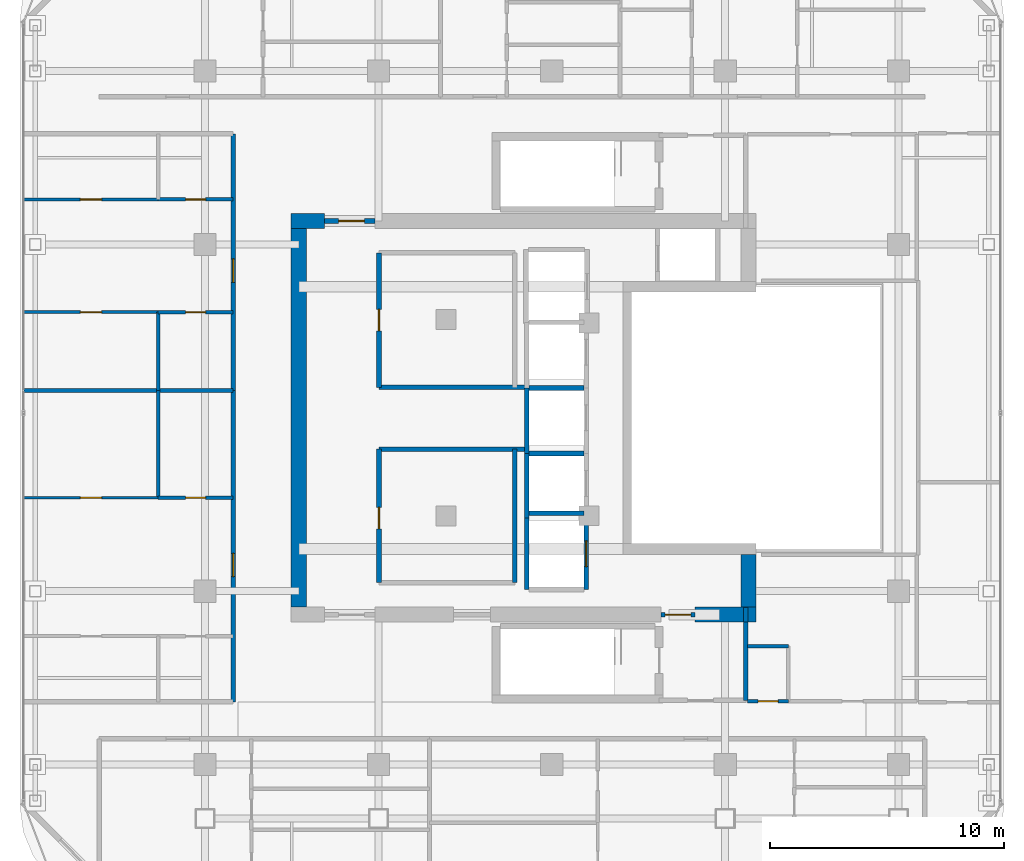
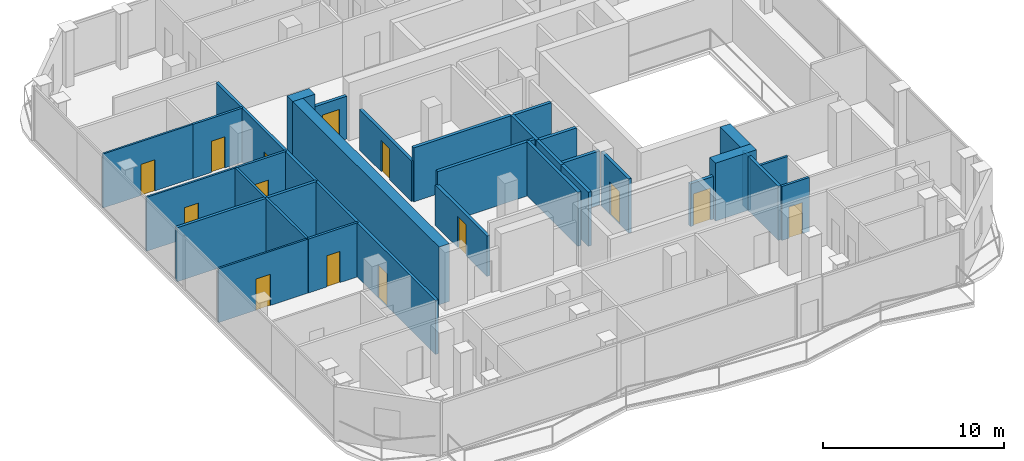
# One storey, part 18 of 22: 33 walls, 14 doors, 14 openings.
"""IFC4 building model written with IfcOpenShell, lengths in metres."""

from ifc_helpers import new_model, si_unit, direction, frame, frame_2d, origin, place, context, subcontext, project, spatial, rectangle, extrude, material, layer, layer_set, type_object, element, fill, save


model = new_model("IFC4")

# Units and contexts
model_context = context("Model", 3, precision=1e-05, world=origin(), true_north=direction((0.0, 1.0)))
body_context = subcontext(model_context, "Body", "Model", "MODEL_VIEW")
ifc_project = project(units=[si_unit("LENGTHUNIT", "METRE"), si_unit("AREAUNIT", "SQUARE_METRE"), si_unit("VOLUMEUNIT", "CUBIC_METRE"), si_unit("PLANEANGLEUNIT", "RADIAN"), si_unit("MASSUNIT", "GRAM", prefix="KILO")], contexts=[model_context])

# Site, building, storey
site_placement = place(None, origin())
site = spatial("IfcSite", under=ifc_project, at=site_placement, CompositionType="ELEMENT")
building_placement = place(site_placement, origin())
building = spatial("IfcBuilding", under=site, at=building_placement, Name="Khorvyn Point Tower", CompositionType="ELEMENT")
storey_placement = place(building_placement, frame((0.0, 0.0, 309.300048828125)))
storey = spatial("IfcBuildingStorey", under=building, at=storey_placement, Name="L76", CompositionType="ELEMENT", Elevation=309.300048828125)

# Wall, opening, door
ifc_material_1 = material(Name="Double acoustic gypsum on twin steel stud", Category="steel")
ifc_layer_1 = layer(ifc_material_1, 0.179931640625)
ifc_layer_set_1 = layer_set([ifc_layer_1], Name="Acoustic Double-Stud Apartment Demising Wall 180")
wall_type_1 = type_object("IfcWallType", Name="Acoustic Double-Stud Apartment Demising Wall 180", PredefinedType="PARTITIONING", material=ifc_layer_set_1)
wall_1_placement = place(storey_placement, frame((-13.60009765625, -12.1201171875, 0.0), z_axis=(0.0, 0.0, 1.0), x_axis=(0.0, 1.0, 0.0)))
wall_1 = element("IfcWall", 1, at=wall_1_placement, inside=storey, type_object=wall_type_1, Name="Wall", PredefinedType="PARTITIONING", context=body_context, shape_type="SweptSolid", body=[
    extrude(rectangle(XDim=13.2841796875, YDim=0.179931640625, at=frame_2d((6.64208984375, 0.0))), origin(), (0.0, 0.0, 1.0), 3.639892578125),
])
opening_1_placement = place(wall_1_placement, frame((5.33837890625, 0.0, 0.0)))
opening_1 = element("IfcOpeningElement", 2, at=opening_1_placement, cuts=wall_1, Name="Opening ID-AP60", PredefinedType="OPENING", context=body_context, shape_type="SweptSolid", body=[
    extrude(rectangle(XDim=1.0, YDim=2.199951171875, at=frame_2d((0.5, 1.10009765625))), frame((0.0, 0.099853515625, 0.0), z_axis=(0.0, -1.0, 0.0), x_axis=(1.0, 0.0, 0.0)), (0.0, 0.0, 1.0), 0.199951171875),
])
ifc_material_2 = material(Name="Engineered hardwood fire-rated leaf", Category="wood")
door_type_1 = type_object("IfcDoorType", Name="Acoustic Solid-Core Timber Apartment Entrance Door 1000x2200", OperationType="NOTDEFINED", PredefinedType="DOOR", material=ifc_material_2)
door_1_placement = place(opening_1_placement, origin())
door_1 = element("IfcDoor", 3, at=door_1_placement, inside=storey, type_object=door_type_1, Name="Door", OperationType="SINGLE_SWING_RIGHT", OverallHeight=2.199951171875, OverallWidth=1.0, PredefinedType="DOOR", context=body_context, shape_type="SweptSolid", body=[
    extrude(rectangle(XDim=1.0, YDim=2.199951171875, at=frame_2d((0.5, 1.10009765625))), frame((0.0, 0.02490234375, 0.0), z_axis=(0.0, -1.0, 0.0), x_axis=(1.0, 0.0, 0.0)), (0.0, 0.0, 1.0), 0.050048828125),
])
fill(opening_1, door_1)

wall_2_placement = place(storey_placement, frame((-13.60009765625, 1.1640625, 0.0), z_axis=(0.0, 0.0, 1.0), x_axis=(0.0, 1.0, 0.0)))
wall_2 = element("IfcWall", 4, at=wall_2_placement, inside=storey, type_object=wall_type_1, Name="Wall", PredefinedType="PARTITIONING", context=body_context, shape_type="SweptSolid", body=[
    extrude(rectangle(XDim=10.9560546875, YDim=0.179931640625, at=frame_2d((5.47802734375, 0.0))), origin(), (0.0, 0.0, 1.0), 3.639892578125),
])
opening_2_placement = place(wall_2_placement, frame((4.62109375, 0.0, 0.0)))
opening_2 = element("IfcOpeningElement", 5, at=opening_2_placement, cuts=wall_2, Name="Opening ID-AP60", PredefinedType="OPENING", context=body_context, shape_type="SweptSolid", body=[
    extrude(rectangle(XDim=1.0, YDim=2.199951171875, at=frame_2d((0.5, 1.10009765625))), frame((0.0, 0.099853515625, 0.0), z_axis=(0.0, -1.0, 0.0), x_axis=(1.0, 0.0, 0.0)), (0.0, 0.0, 1.0), 0.199951171875),
])
door_2_placement = place(opening_2_placement, origin())
door_2 = element("IfcDoor", 6, at=door_2_placement, inside=storey, type_object=door_type_1, Name="Door", OperationType="SINGLE_SWING_LEFT", OverallHeight=2.199951171875, OverallWidth=1.0, PredefinedType="DOOR", context=body_context, shape_type="SweptSolid", body=[
    extrude(rectangle(XDim=1.0, YDim=2.199951171875, at=frame_2d((0.5, 1.10009765625))), frame((0.0, 0.02490234375, 0.0), z_axis=(0.0, -1.0, 0.0), x_axis=(1.0, 0.0, 0.0)), (0.0, 0.0, 1.0), 0.050048828125),
])
fill(opening_2, door_2)

# Walls
wall_3_placement = place(storey_placement, frame((-22.530029296875, 1.1640625, 0.0), z_axis=(0.0, 0.0, 1.0), x_axis=(1.0, 0.0, 0.0)))
element("IfcWall", 7, at=wall_3_placement, inside=storey, type_object=wall_type_1, Name="Wall", PredefinedType="PARTITIONING", context=body_context, shape_type="SweptSolid", body=[
    extrude(rectangle(XDim=8.929931640625, YDim=0.179931640625, at=frame_2d((4.46484375, 0.0))), origin(), (0.0, 0.0, 1.0), 3.639892578125),
])
ifc_material_3 = material(Name="Concrete C40/50", Category="concrete")
ifc_layer_2 = layer(ifc_material_3, 0.64990234375)
ifc_layer_set_2 = layer_set([ifc_layer_2], Name="Concrete C40/50 Core Shear Wall 650")
wall_type_2 = type_object("IfcWallType", Name="Concrete C40/50 Core Shear Wall 650", PredefinedType="SHEAR", material=ifc_layer_set_2)
wall_4_placement = place(storey_placement, frame((6.1201171875, -8.39990234375, 0.0), z_axis=(0.0, 0.0, 1.0), x_axis=(1.0, 0.0, 0.0)))
element("IfcWall", 8, at=wall_4_placement, inside=storey, type_object=wall_type_2, Name="Wall", PredefinedType="SHEAR", context=body_context, shape_type="SweptSolid", body=[
    extrude(rectangle(XDim=2.60498046875, YDim=0.64990234375, at=frame_2d((1.302490234375, 0.0))), origin(), (0.0, 0.0, 1.0), 3.89990234375),
])
wall_5_placement = place(storey_placement, frame((-11.125, 8.39990234375, 0.0), z_axis=(0.0, 0.0, 1.0), x_axis=(1.0, 0.0, 0.0)))
element("IfcWall", 9, at=wall_5_placement, inside=storey, type_object=wall_type_2, Name="Wall", PredefinedType="SHEAR", context=body_context, shape_type="SweptSolid", body=[
    extrude(rectangle(XDim=1.425048828125, YDim=0.64990234375, at=frame_2d((0.71240234375, 0.0))), origin(), (0.0, 0.0, 1.0), 3.89990234375),
])
wall_6_placement = place(storey_placement, frame((-10.800048828125, -8.074951171875, 0.0), z_axis=(0.0, 0.0, 1.0), x_axis=(0.0, 1.0, 0.0)))
element("IfcWall", 10, at=wall_6_placement, inside=storey, type_object=wall_type_2, Name="Wall", PredefinedType="SHEAR", context=body_context, shape_type="SweptSolid", body=[
    extrude(rectangle(XDim=16.14990234375, YDim=0.64990234375, at=frame_2d((8.074951171875, 0.0))), origin(), (0.0, 0.0, 1.0), 3.89990234375),
])
wall_7_placement = place(storey_placement, frame((8.39990234375, -8.074951171875, 0.0), z_axis=(0.0, 0.0, 1.0), x_axis=(0.0, 1.0, 0.0)))
element("IfcWall", 11, at=wall_7_placement, inside=storey, type_object=wall_type_2, Name="Wall", PredefinedType="SHEAR", context=body_context, shape_type="SweptSolid", body=[
    extrude(rectangle(XDim=2.25, YDim=0.64990234375, at=frame_2d((1.125, 0.0))), origin(), (0.0, 0.0, 1.0), 3.89990234375),
])

# Wall, opening, door
ifc_layer_3 = layer(ifc_material_3, 0.199951171875)
ifc_layer_set_3 = layer_set([ifc_layer_3], Name="Concrete C40/50 Fire-Lobby Compartment Wall 200")
wall_type_3 = type_object("IfcWallType", Name="Concrete C40/50 Fire-Lobby Compartment Wall 200", PredefinedType="SOLIDWALL", material=ifc_layer_set_3)
wall_8_placement = place(storey_placement, frame((4.64990234375, -8.39990234375, 0.0), z_axis=(0.0, 0.0, 1.0), x_axis=(1.0, 0.0, 0.0)))
wall_8 = element("IfcWall", 12, at=wall_8_placement, inside=storey, type_object=wall_type_3, Name="Wall", PredefinedType="SOLIDWALL", context=body_context, shape_type="SweptSolid", body=[
    extrude(rectangle(XDim=1.47021484375, YDim=0.199951171875, at=frame_2d((0.735107421875, 0.0))), origin(), (0.0, 0.0, 1.0), 2.8798828125),
])
opening_3_placement = place(wall_8_placement, frame((0.18505859375, 0.0, 0.0)))
opening_3 = element("IfcOpeningElement", 13, at=opening_3_placement, cuts=wall_8, Name="Opening ID-FL90", PredefinedType="OPENING", context=body_context, shape_type="SweptSolid", body=[
    extrude(rectangle(XDim=1.10009765625, YDim=2.14990234375, at=frame_2d((0.550048828125, 1.074951171875))), frame((0.0, 0.10986328125, 0.0), z_axis=(0.0, -1.0, 0.0), x_axis=(1.0, 0.0, 0.0)), (0.0, 0.0, 1.0), 0.219970703125),
])
ifc_material_4 = material(Name="Galvanised powder-coated steel", Category="steel")
door_type_2 = type_object("IfcDoorType", Name="Fire-Rated Steel Lobby and Stair Door 1100x2150", OperationType="NOTDEFINED", PredefinedType="DOOR", material=ifc_material_4)
door_3_placement = place(opening_3_placement, origin())
door_3 = element("IfcDoor", 14, at=door_3_placement, inside=storey, type_object=door_type_2, Name="Door", OperationType="SINGLE_SWING_RIGHT", OverallHeight=2.14990234375, OverallWidth=1.10009765625, PredefinedType="DOOR", context=body_context, shape_type="SweptSolid", body=[
    extrude(rectangle(XDim=1.10009765625, YDim=2.14990234375, at=frame_2d((0.550048828125, 1.074951171875))), frame((0.0, 0.02490234375, 0.0), z_axis=(0.0, -1.0, 0.0), x_axis=(1.0, 0.0, 0.0)), (0.0, 0.0, 1.0), 0.050048828125),
])
fill(opening_3, door_3)

wall_9_placement = place(storey_placement, frame((-9.699951171875, 8.39990234375, 0.0), z_axis=(0.0, 0.0, 1.0), x_axis=(1.0, 0.0, 0.0)))
wall_9 = element("IfcWall", 15, at=wall_9_placement, inside=storey, type_object=wall_type_3, Name="Wall", PredefinedType="SOLIDWALL", context=body_context, shape_type="SweptSolid", body=[
    extrude(rectangle(XDim=2.14990234375, YDim=0.199951171875, at=frame_2d((1.074951171875, 0.0))), origin(), (0.0, 0.0, 1.0), 2.8798828125),
])
opening_4_placement = place(wall_9_placement, frame((0.597900390625, 0.0, 0.0)))
opening_4 = element("IfcOpeningElement", 16, at=opening_4_placement, cuts=wall_9, Name="Opening ID-FL90", PredefinedType="OPENING", context=body_context, shape_type="SweptSolid", body=[
    extrude(rectangle(XDim=1.10009765625, YDim=2.14990234375, at=frame_2d((0.550048828125, 1.074951171875))), frame((0.0, 0.10986328125, 0.0), z_axis=(0.0, -1.0, 0.0), x_axis=(1.0, 0.0, 0.0)), (0.0, 0.0, 1.0), 0.219970703125),
])
door_4_placement = place(opening_4_placement, origin())
door_4 = element("IfcDoor", 17, at=door_4_placement, inside=storey, type_object=door_type_2, Name="Door", OperationType="SINGLE_SWING_LEFT", OverallHeight=2.14990234375, OverallWidth=1.10009765625, PredefinedType="DOOR", context=body_context, shape_type="SweptSolid", body=[
    extrude(rectangle(XDim=1.10009765625, YDim=2.14990234375, at=frame_2d((0.550048828125, 1.074951171875))), frame((0.0, 0.02490234375, 0.0), z_axis=(0.0, -1.0, 0.0), x_axis=(1.0, 0.0, 0.0)), (0.0, 0.0, 1.0), 0.050048828125),
])
fill(opening_4, door_4)

wall_10_placement = place(storey_placement, frame((-7.3798828125, -7.0400390625, 0.0), z_axis=(0.0, 0.0, 1.0), x_axis=(0.0, 1.0, 0.0)))
wall_10 = element("IfcWall", 18, at=wall_10_placement, inside=storey, type_object=wall_type_3, Name="Wall", PredefinedType="SOLIDWALL", context=body_context, shape_type="SweptSolid", body=[
    extrude(rectangle(XDim=5.699951171875, YDim=0.199951171875, at=frame_2d((2.85009765625, 0.0))), origin(), (0.0, 0.0, 1.0), 2.72998046875),
])
opening_5_placement = place(wall_10_placement, frame((2.30078125, 0.0, 0.0)))
opening_5 = element("IfcOpeningElement", 19, at=opening_5_placement, cuts=wall_10, Name="Opening ID-RS60", PredefinedType="OPENING", context=body_context, shape_type="SweptSolid", body=[
    extrude(rectangle(XDim=0.919921875, YDim=2.10009765625, at=frame_2d((0.4599609375, 1.050048828125))), frame((0.0, 0.10986328125, 0.0), z_axis=(0.0, -1.0, 0.0), x_axis=(1.0, 0.0, 0.0)), (0.0, 0.0, 1.0), 0.219970703125),
])
door_type_3 = type_object("IfcDoorType", Name="Fire-Rated Riser and Store Steel Door 920x2100", OperationType="NOTDEFINED", PredefinedType="DOOR", material=ifc_material_4)
door_5_placement = place(opening_5_placement, origin())
door_5 = element("IfcDoor", 20, at=door_5_placement, inside=storey, type_object=door_type_3, Name="Door", OperationType="SINGLE_SWING_RIGHT", OverallHeight=2.10009765625, OverallWidth=0.919921875, PredefinedType="DOOR", context=body_context, shape_type="SweptSolid", body=[
    extrude(rectangle(XDim=0.919921875, YDim=2.10009765625, at=frame_2d((0.4599609375, 1.050048828125))), frame((0.0, 0.02490234375, 0.0), z_axis=(0.0, -1.0, 0.0), x_axis=(1.0, 0.0, 0.0)), (0.0, 0.0, 1.0), 0.050048828125),
])
fill(opening_5, door_5)

wall_11_placement = place(storey_placement, frame((-7.3798828125, 1.300048828125, 0.0), z_axis=(0.0, 0.0, 1.0), x_axis=(0.0, 1.0, 0.0)))
wall_11 = element("IfcWall", 21, at=wall_11_placement, inside=storey, type_object=wall_type_3, Name="Wall", PredefinedType="SOLIDWALL", context=body_context, shape_type="SweptSolid", body=[
    extrude(rectangle(XDim=5.739990234375, YDim=0.199951171875, at=frame_2d((2.8701171875, 0.0))), origin(), (0.0, 0.0, 1.0), 2.72998046875),
])
opening_6_placement = place(wall_11_placement, frame((2.409912109375, 0.0, 0.0)))
opening_6 = element("IfcOpeningElement", 22, at=opening_6_placement, cuts=wall_11, Name="Opening ID-RS60", PredefinedType="OPENING", context=body_context, shape_type="SweptSolid", body=[
    extrude(rectangle(XDim=0.919921875, YDim=2.10009765625, at=frame_2d((0.4599609375, 1.050048828125))), frame((0.0, 0.10986328125, 0.0), z_axis=(0.0, -1.0, 0.0), x_axis=(1.0, 0.0, 0.0)), (0.0, 0.0, 1.0), 0.219970703125),
])
door_6_placement = place(opening_6_placement, origin())
door_6 = element("IfcDoor", 23, at=door_6_placement, inside=storey, type_object=door_type_3, Name="Door", OperationType="SINGLE_SWING_LEFT", OverallHeight=2.10009765625, OverallWidth=0.919921875, PredefinedType="DOOR", context=body_context, shape_type="SweptSolid", body=[
    extrude(rectangle(XDim=0.919921875, YDim=2.10009765625, at=frame_2d((0.4599609375, 1.050048828125))), frame((0.0, 0.02490234375, 0.0), z_axis=(0.0, -1.0, 0.0), x_axis=(1.0, 0.0, 0.0)), (0.0, 0.0, 1.0), 0.050048828125),
])
fill(opening_6, door_6)

# Walls
wall_12_placement = place(storey_placement, frame((8.280029296875, -12.06005859375, 0.0), z_axis=(0.0, 0.0, 1.0), x_axis=(0.0, 1.0, 0.0)))
element("IfcWall", 24, at=wall_12_placement, inside=storey, type_object=wall_type_3, Name="Wall", PredefinedType="SOLIDWALL", context=body_context, shape_type="SweptSolid", body=[
    extrude(rectangle(XDim=3.3349609375, YDim=0.199951171875, at=frame_2d((1.66748046875, 0.0))), origin(), (0.0, 0.0, 1.0), 3.639892578125),
])
for number, where, z_axis, x_axis, name in (
    (25, (-7.3798828125, -1.340087890625, 0.0), (0.0, 0.0, 1.0), (1.0, 0.0, 0.0), "Wall"),
    (26, (-7.3798828125, 1.300048828125, 0.0), (0.0, 0.0, 1.0), (1.0, 0.0, 0.0), "Wall"),
):
    element("IfcWall", number, at=place(storey_placement, frame(where, z_axis=z_axis, x_axis=x_axis)), inside=storey, type_object=wall_type_3, Name=name, PredefinedType="SOLIDWALL", context=body_context, shape_type="SweptSolid", body=[
        extrude(rectangle(XDim=6.239990234375, YDim=0.199951171875, at=frame_2d((3.1201171875, 0.0))), origin(), (0.0, 0.0, 1.0), 3.639892578125),
    ])
wall_13_placement = place(storey_placement, frame((-1.580078125, -7.0400390625, 0.0), z_axis=(0.0, 0.0, 1.0), x_axis=(0.0, 1.0, 0.0)))
element("IfcWall", 27, at=wall_13_placement, inside=storey, type_object=wall_type_3, Name="Wall", PredefinedType="SOLIDWALL", context=body_context, shape_type="SweptSolid", body=[
    extrude(rectangle(XDim=5.699951171875, YDim=0.199951171875, at=frame_2d((2.85009765625, 0.0))), origin(), (0.0, 0.0, 1.0), 3.639892578125),
])
wall_14_placement = place(storey_placement, frame((8.280029296875, -8.72509765625, 0.0), z_axis=(0.0, 0.0, 1.0), x_axis=(0.0, 1.0, 0.0)))
element("IfcWall", 28, at=wall_14_placement, inside=storey, type_object=wall_type_3, Name="Wall", PredefinedType="SOLIDWALL", context=body_context, shape_type="SweptSolid", body=[
    extrude(rectangle(XDim=0.625, YDim=0.199951171875, at=frame_2d((0.3125, 0.0))), origin(), (0.0, 0.0, 1.0), 3.639892578125),
])
ifc_layer_4 = layer(ifc_material_3, 0.199951171875)
ifc_layer_set_4 = layer_set([ifc_layer_4], Name="Concrete C40/50 Structural Hoistway and Stair Shaft Wall 200")
wall_type_4 = type_object("IfcWallType", Name="Concrete C40/50 Structural Hoistway and Stair Shaft Wall 200", PredefinedType="SHEAR", material=ifc_layer_set_4)
wall_15_placement = place(storey_placement, frame((-1.074951171875, -4.27490234375, 0.0), z_axis=(0.0, 0.0, 1.0), x_axis=(0.0, 1.0, 0.0)))
element("IfcWall", 29, at=wall_15_placement, inside=storey, type_object=wall_type_4, Name="Wall", PredefinedType="SHEAR", context=body_context, shape_type="SweptSolid", body=[
    extrude(rectangle(XDim=2.75, YDim=0.199951171875, at=frame_2d((1.375, 0.0))), origin(), (0.0, 0.0, 1.0), 3.639892578125),
])
for number, where, z_axis, x_axis, name in (
    (30, (-0.97509765625, -4.074951171875, 0.0), (0.0, 0.0, 1.0), (1.0, 0.0, 0.0), "Wall"),
    (31, (-0.97509765625, -1.52490234375, 0.0), (0.0, 0.0, 1.0), (1.0, 0.0, 0.0), "Wall"),
):
    element("IfcWall", number, at=place(storey_placement, frame(where, z_axis=z_axis, x_axis=x_axis)), inside=storey, type_object=wall_type_4, Name=name, PredefinedType="SHEAR", context=body_context, shape_type="SweptSolid", body=[
        extrude(rectangle(XDim=2.35009765625, YDim=0.199951171875, at=frame_2d((1.175048828125, 0.0))), origin(), (0.0, 0.0, 1.0), 3.639892578125),
    ])
wall_16_placement = place(storey_placement, frame((-1.074951171875, -1.52490234375, 0.0), z_axis=(0.0, 0.0, 1.0), x_axis=(0.0, 1.0, 0.0)))
element("IfcWall", 32, at=wall_16_placement, inside=storey, type_object=wall_type_4, Name="Wall", PredefinedType="SHEAR", context=body_context, shape_type="SweptSolid", body=[
    extrude(rectangle(XDim=2.7998046875, YDim=0.199951171875, at=frame_2d((1.39990234375, 0.0))), origin(), (0.0, 0.0, 1.0), 3.639892578125),
])
wall_17_placement = place(storey_placement, frame((-0.97509765625, 1.27490234375, 0.0), z_axis=(0.0, 0.0, 1.0), x_axis=(1.0, 0.0, 0.0)))
element("IfcWall", 33, at=wall_17_placement, inside=storey, type_object=wall_type_4, Name="Wall", PredefinedType="SHEAR", context=body_context, shape_type="SweptSolid", body=[
    extrude(rectangle(XDim=2.35009765625, YDim=0.199951171875, at=frame_2d((1.175048828125, 0.0))), origin(), (0.0, 0.0, 1.0), 3.639892578125),
])
wall_18_placement = place(storey_placement, frame((-1.074951171875, -7.324951171875, 0.0), z_axis=(0.0, 0.0, 1.0), x_axis=(0.0, 1.0, 0.0)))
element("IfcWall", 34, at=wall_18_placement, inside=storey, type_object=wall_type_4, Name="Wall", PredefinedType="SHEAR", context=body_context, shape_type="SweptSolid", body=[
    extrude(rectangle(XDim=3.050048828125, YDim=0.199951171875, at=frame_2d((1.52490234375, 0.0))), origin(), (0.0, 0.0, 1.0), 3.639892578125),
])

# Wall, opening, door
wall_19_placement = place(storey_placement, frame((1.47509765625, -7.324951171875, 0.0), z_axis=(0.0, 0.0, 1.0), x_axis=(0.0, 1.0, 0.0)))
wall_19 = element("IfcWall", 35, at=wall_19_placement, inside=storey, type_object=wall_type_4, Name="Wall", PredefinedType="SHEAR", context=body_context, shape_type="SweptSolid", body=[
    extrude(rectangle(XDim=3.050048828125, YDim=0.199951171875, at=frame_2d((1.52490234375, 0.0))), origin(), (0.0, 0.0, 1.0), 3.639892578125),
])
opening_7_placement = place(wall_19_placement, frame((0.97509765625, 0.0, 0.0)))
opening_7 = element("IfcOpeningElement", 36, at=opening_7_placement, cuts=wall_19, Name="Opening LD-1122", PredefinedType="OPENING", context=body_context, shape_type="SweptSolid", body=[
    extrude(rectangle(XDim=1.10009765625, YDim=2.199951171875, at=frame_2d((0.550048828125, 1.10009765625))), frame((0.0, 0.10986328125, 0.0), z_axis=(0.0, -1.0, 0.0), x_axis=(1.0, 0.0, 0.0)), (0.0, 0.0, 1.0), 0.219970703125),
])
ifc_material_5 = material(Name="Stainless steel 1.4301", Category="steel")
door_type_4 = type_object("IfcDoorType", Name="Stainless Steel Automatic Sliding Lift Landing Door 1100x2200", OperationType="SLIDING_TO_LEFT", PredefinedType="DOOR", material=ifc_material_5)
door_7_placement = place(opening_7_placement, origin())
door_7 = element("IfcDoor", 37, at=door_7_placement, inside=storey, type_object=door_type_4, Name="L76 FF-01 Sliding Lift Landing Door", OperationType="SLIDING_TO_LEFT", OverallHeight=2.199951171875, OverallWidth=1.10009765625, PredefinedType="DOOR", context=body_context, shape_type="SweptSolid", body=[
    extrude(rectangle(XDim=1.10009765625, YDim=2.199951171875, at=frame_2d((0.550048828125, 1.10009765625))), frame((0.0, 0.02490234375, 0.0), z_axis=(0.0, -1.0, 0.0), x_axis=(1.0, 0.0, 0.0)), (0.0, 0.0, 1.0), 0.050048828125),
])
fill(opening_7, door_7)

ifc_material_6 = material(Name="Gypsum plasterboard on steel stud", Category="steel")
ifc_layer_5 = layer(ifc_material_6, 0.1201171875)
ifc_layer_set_5 = layer_set([ifc_layer_5], Name="Gypsum Acoustic Stud Room Partition Wall 120")
wall_type_5 = type_object("IfcWallType", Name="Gypsum Acoustic Stud Room Partition Wall 120", PredefinedType="PARTITIONING", material=ifc_layer_set_5)
wall_20_placement = place(storey_placement, frame((-22.530029296875, -3.412109375, 0.0), z_axis=(0.0, 0.0, 1.0), x_axis=(1.0, 0.0, 0.0)))
wall_20 = element("IfcWall", 38, at=wall_20_placement, inside=storey, type_object=wall_type_5, Name="Wall", PredefinedType="PARTITIONING", context=body_context, shape_type="SweptSolid", body=[
    extrude(rectangle(XDim=5.720947265625, YDim=0.1201171875, at=frame_2d((2.8603515625, 0.0))), origin(), (0.0, 0.0, 1.0), 3.639892578125),
])
opening_8_placement = place(wall_20_placement, frame((2.410400390625, 0.0, 0.0)))
opening_8 = element("IfcOpeningElement", 39, at=opening_8_placement, cuts=wall_20, Name="Opening ID-RM90", PredefinedType="OPENING", context=body_context, shape_type="SweptSolid", body=[
    extrude(rectangle(XDim=0.89990234375, YDim=2.10009765625, at=frame_2d((0.449951171875, 1.050048828125))), frame((0.0, 0.070068359375, 0.0), z_axis=(0.0, -1.0, 0.0), x_axis=(1.0, 0.0, 0.0)), (0.0, 0.0, 1.0), 0.14013671875),
])
ifc_material_7 = material(Name="Engineered oak veneer timber", Category="wood")
door_type_5 = type_object("IfcDoorType", Name="Flush Engineered Timber Room Door 900x2100", OperationType="NOTDEFINED", PredefinedType="DOOR", material=ifc_material_7)
door_8_placement = place(opening_8_placement, origin())
door_8 = element("IfcDoor", 40, at=door_8_placement, inside=storey, type_object=door_type_5, Name="Door", OperationType="SINGLE_SWING_RIGHT", OverallHeight=2.10009765625, OverallWidth=0.89990234375, PredefinedType="DOOR", context=body_context, shape_type="SweptSolid", body=[
    extrude(rectangle(XDim=0.89990234375, YDim=2.10009765625, at=frame_2d((0.449951171875, 1.050048828125))), frame((0.0, 0.02490234375, 0.0), z_axis=(0.0, -1.0, 0.0), x_axis=(1.0, 0.0, 0.0)), (0.0, 0.0, 1.0), 0.050048828125),
])
fill(opening_8, door_8)

wall_21_placement = place(storey_placement, frame((-22.530029296875, 4.510986328125, 0.0), z_axis=(0.0, 0.0, 1.0), x_axis=(1.0, 0.0, 0.0)))
wall_21 = element("IfcWall", 41, at=wall_21_placement, inside=storey, type_object=wall_type_5, Name="Wall", PredefinedType="PARTITIONING", context=body_context, shape_type="SweptSolid", body=[
    extrude(rectangle(XDim=5.720947265625, YDim=0.1201171875, at=frame_2d((2.8603515625, 0.0))), origin(), (0.0, 0.0, 1.0), 3.639892578125),
])
opening_9_placement = place(wall_21_placement, frame((2.410400390625, 0.0, 0.0)))
opening_9 = element("IfcOpeningElement", 42, at=opening_9_placement, cuts=wall_21, Name="Opening ID-RM90", PredefinedType="OPENING", context=body_context, shape_type="SweptSolid", body=[
    extrude(rectangle(XDim=0.89990234375, YDim=2.10009765625, at=frame_2d((0.449951171875, 1.050048828125))), frame((0.0, 0.070068359375, 0.0), z_axis=(0.0, -1.0, 0.0), x_axis=(1.0, 0.0, 0.0)), (0.0, 0.0, 1.0), 0.14013671875),
])
door_9_placement = place(opening_9_placement, origin())
door_9 = element("IfcDoor", 43, at=door_9_placement, inside=storey, type_object=door_type_5, Name="Door", OperationType="SINGLE_SWING_RIGHT", OverallHeight=2.10009765625, OverallWidth=0.89990234375, PredefinedType="DOOR", context=body_context, shape_type="SweptSolid", body=[
    extrude(rectangle(XDim=0.89990234375, YDim=2.10009765625, at=frame_2d((0.449951171875, 1.050048828125))), frame((0.0, 0.02490234375, 0.0), z_axis=(0.0, -1.0, 0.0), x_axis=(1.0, 0.0, 0.0)), (0.0, 0.0, 1.0), 0.050048828125),
])
fill(opening_9, door_9)

wall_22_placement = place(storey_placement, frame((-22.530029296875, 9.320068359375, 0.0), z_axis=(0.0, 0.0, 1.0), x_axis=(1.0, 0.0, 0.0)))
wall_22 = element("IfcWall", 44, at=wall_22_placement, inside=storey, type_object=wall_type_5, Name="Wall", PredefinedType="PARTITIONING", context=body_context, shape_type="SweptSolid", body=[
    extrude(rectangle(XDim=5.720947265625, YDim=0.1201171875, at=frame_2d((2.8603515625, 0.0))), origin(), (0.0, 0.0, 1.0), 3.639892578125),
])
opening_10_placement = place(wall_22_placement, frame((2.410400390625, 0.0, 0.0)))
opening_10 = element("IfcOpeningElement", 45, at=opening_10_placement, cuts=wall_22, Name="Opening ID-RM90", PredefinedType="OPENING", context=body_context, shape_type="SweptSolid", body=[
    extrude(rectangle(XDim=0.89990234375, YDim=2.10009765625, at=frame_2d((0.449951171875, 1.050048828125))), frame((0.0, 0.070068359375, 0.0), z_axis=(0.0, -1.0, 0.0), x_axis=(1.0, 0.0, 0.0)), (0.0, 0.0, 1.0), 0.14013671875),
])
door_10_placement = place(opening_10_placement, origin())
door_10 = element("IfcDoor", 46, at=door_10_placement, inside=storey, type_object=door_type_5, Name="Door", OperationType="SINGLE_SWING_LEFT", OverallHeight=2.10009765625, OverallWidth=0.89990234375, PredefinedType="DOOR", context=body_context, shape_type="SweptSolid", body=[
    extrude(rectangle(XDim=0.89990234375, YDim=2.10009765625, at=frame_2d((0.449951171875, 1.050048828125))), frame((0.0, 0.02490234375, 0.0), z_axis=(0.0, -1.0, 0.0), x_axis=(1.0, 0.0, 0.0)), (0.0, 0.0, 1.0), 0.050048828125),
])
fill(opening_10, door_10)

ifc_material_8 = material(Name="Moisture-resistant gypsum and cement board", Category="gypsum")
ifc_layer_6 = layer(ifc_material_8, 0.14990234375)
ifc_layer_set_6 = layer_set([ifc_layer_6], Name="Moisture-Resistant Wet-Room Partition Wall 150")
wall_type_6 = type_object("IfcWallType", Name="Moisture-Resistant Wet-Room Partition Wall 150", PredefinedType="PARTITIONING", material=ifc_layer_set_6)
wall_23_placement = place(storey_placement, frame((8.360107421875, -12.10009765625, 0.0), z_axis=(0.0, 0.0, 1.0), x_axis=(1.0, 0.0, 0.0)))
wall_23 = element("IfcWall", 47, at=wall_23_placement, inside=storey, type_object=wall_type_6, Name="Wall", PredefinedType="PARTITIONING", context=body_context, shape_type="SweptSolid", body=[
    extrude(rectangle(XDim=1.739990234375, YDim=0.14990234375, at=frame_2d((0.8701171875, 0.0))), origin(), (0.0, 0.0, 1.0), 3.639892578125),
])
opening_11_placement = place(wall_23_placement, frame((0.445068359375, 0.0, 0.0)))
opening_11 = element("IfcOpeningElement", 48, at=opening_11_placement, cuts=wall_23, Name="Opening ID-WC85", PredefinedType="OPENING", context=body_context, shape_type="SweptSolid", body=[
    extrude(rectangle(XDim=0.85009765625, YDim=2.10009765625, at=frame_2d((0.425048828125, 1.050048828125))), frame((0.0, 0.0849609375, 0.0), z_axis=(0.0, -1.0, 0.0), x_axis=(1.0, 0.0, 0.0)), (0.0, 0.0, 1.0), 0.169921875),
])
ifc_material_9 = material(Name="High-pressure laminate on moisture-resistant core", Category="wood")
door_type_6 = type_object("IfcDoorType", Name="Moisture-Resistant Accessible Washroom Door 850x2100", OperationType="NOTDEFINED", PredefinedType="DOOR", material=ifc_material_9)
door_11_placement = place(opening_11_placement, origin())
door_11 = element("IfcDoor", 49, at=door_11_placement, inside=storey, type_object=door_type_6, Name="Door", OperationType="SINGLE_SWING_RIGHT", OverallHeight=2.10009765625, OverallWidth=0.85009765625, PredefinedType="DOOR", context=body_context, shape_type="SweptSolid", body=[
    extrude(rectangle(XDim=0.85009765625, YDim=2.10009765625, at=frame_2d((0.425048828125, 1.050048828125))), frame((0.0, 0.02490234375, 0.0), z_axis=(0.0, -1.0, 0.0), x_axis=(1.0, 0.0, 0.0)), (0.0, 0.0, 1.0), 0.050048828125),
])
fill(opening_11, door_11)

wall_24_placement = place(storey_placement, frame((-16.80908203125, -3.412109375, 0.0), z_axis=(0.0, 0.0, 1.0), x_axis=(1.0, 0.0, 0.0)))
wall_24 = element("IfcWall", 50, at=wall_24_placement, inside=storey, type_object=wall_type_6, Name="Wall", PredefinedType="PARTITIONING", context=body_context, shape_type="SweptSolid", body=[
    extrude(rectangle(XDim=3.208984375, YDim=0.14990234375, at=frame_2d((1.6044921875, 0.0))), origin(), (0.0, 0.0, 1.0), 3.639892578125),
])
opening_12_placement = place(wall_24_placement, frame((1.179443359375, 0.0, 0.0)))
opening_12 = element("IfcOpeningElement", 51, at=opening_12_placement, cuts=wall_24, Name="Opening ID-WC85", PredefinedType="OPENING", context=body_context, shape_type="SweptSolid", body=[
    extrude(rectangle(XDim=0.85009765625, YDim=2.10009765625, at=frame_2d((0.425048828125, 1.050048828125))), frame((0.0, 0.0849609375, 0.0), z_axis=(0.0, -1.0, 0.0), x_axis=(1.0, 0.0, 0.0)), (0.0, 0.0, 1.0), 0.169921875),
])
door_12_placement = place(opening_12_placement, origin())
door_12 = element("IfcDoor", 52, at=door_12_placement, inside=storey, type_object=door_type_6, Name="Door", OperationType="SINGLE_SWING_LEFT", OverallHeight=2.10009765625, OverallWidth=0.85009765625, PredefinedType="DOOR", context=body_context, shape_type="SweptSolid", body=[
    extrude(rectangle(XDim=0.85009765625, YDim=2.10009765625, at=frame_2d((0.425048828125, 1.050048828125))), frame((0.0, 0.02490234375, 0.0), z_axis=(0.0, -1.0, 0.0), x_axis=(1.0, 0.0, 0.0)), (0.0, 0.0, 1.0), 0.050048828125),
])
fill(opening_12, door_12)

wall_25_placement = place(storey_placement, frame((-16.80908203125, 9.320068359375, 0.0), z_axis=(0.0, 0.0, 1.0), x_axis=(1.0, 0.0, 0.0)))
wall_25 = element("IfcWall", 53, at=wall_25_placement, inside=storey, type_object=wall_type_6, Name="Wall", PredefinedType="PARTITIONING", context=body_context, shape_type="SweptSolid", body=[
    extrude(rectangle(XDim=3.208984375, YDim=0.14990234375, at=frame_2d((1.6044921875, 0.0))), origin(), (0.0, 0.0, 1.0), 3.639892578125),
])
opening_13_placement = place(wall_25_placement, frame((1.179443359375, 0.0, 0.0)))
opening_13 = element("IfcOpeningElement", 54, at=opening_13_placement, cuts=wall_25, Name="Opening ID-WC85", PredefinedType="OPENING", context=body_context, shape_type="SweptSolid", body=[
    extrude(rectangle(XDim=0.85009765625, YDim=2.10009765625, at=frame_2d((0.425048828125, 1.050048828125))), frame((0.0, 0.0849609375, 0.0), z_axis=(0.0, -1.0, 0.0), x_axis=(1.0, 0.0, 0.0)), (0.0, 0.0, 1.0), 0.169921875),
])
door_13_placement = place(opening_13_placement, origin())
door_13 = element("IfcDoor", 55, at=door_13_placement, inside=storey, type_object=door_type_6, Name="Door", OperationType="SINGLE_SWING_RIGHT", OverallHeight=2.10009765625, OverallWidth=0.85009765625, PredefinedType="DOOR", context=body_context, shape_type="SweptSolid", body=[
    extrude(rectangle(XDim=0.85009765625, YDim=2.10009765625, at=frame_2d((0.425048828125, 1.050048828125))), frame((0.0, 0.02490234375, 0.0), z_axis=(0.0, -1.0, 0.0), x_axis=(1.0, 0.0, 0.0)), (0.0, 0.0, 1.0), 0.050048828125),
])
fill(opening_13, door_13)

wall_26_placement = place(storey_placement, frame((-16.80908203125, 4.510986328125, 0.0), z_axis=(0.0, 0.0, 1.0), x_axis=(1.0, 0.0, 0.0)))
wall_26 = element("IfcWall", 56, at=wall_26_placement, inside=storey, type_object=wall_type_6, Name="Wall", PredefinedType="PARTITIONING", context=body_context, shape_type="SweptSolid", body=[
    extrude(rectangle(XDim=3.208984375, YDim=0.14990234375, at=frame_2d((1.6044921875, 0.0))), origin(), (0.0, 0.0, 1.0), 3.639892578125),
])
opening_14_placement = place(wall_26_placement, frame((1.179443359375, 0.0, 0.0)))
opening_14 = element("IfcOpeningElement", 57, at=opening_14_placement, cuts=wall_26, Name="Opening ID-WC85", PredefinedType="OPENING", context=body_context, shape_type="SweptSolid", body=[
    extrude(rectangle(XDim=0.85009765625, YDim=2.10009765625, at=frame_2d((0.425048828125, 1.050048828125))), frame((0.0, 0.0849609375, 0.0), z_axis=(0.0, -1.0, 0.0), x_axis=(1.0, 0.0, 0.0)), (0.0, 0.0, 1.0), 0.169921875),
])
door_14_placement = place(opening_14_placement, origin())
door_14 = element("IfcDoor", 58, at=door_14_placement, inside=storey, type_object=door_type_6, Name="Door", OperationType="SINGLE_SWING_LEFT", OverallHeight=2.10009765625, OverallWidth=0.85009765625, PredefinedType="DOOR", context=body_context, shape_type="SweptSolid", body=[
    extrude(rectangle(XDim=0.85009765625, YDim=2.10009765625, at=frame_2d((0.425048828125, 1.050048828125))), frame((0.0, 0.02490234375, 0.0), z_axis=(0.0, -1.0, 0.0), x_axis=(1.0, 0.0, 0.0)), (0.0, 0.0, 1.0), 0.050048828125),
])
fill(opening_14, door_14)

# Walls
wall_27_placement = place(storey_placement, frame((8.360107421875, -9.75, 0.0), z_axis=(0.0, 0.0, 1.0), x_axis=(1.0, 0.0, 0.0)))
element("IfcWall", 59, at=wall_27_placement, inside=storey, type_object=wall_type_6, Name="Wall", PredefinedType="PARTITIONING", context=body_context, shape_type="SweptSolid", body=[
    extrude(rectangle(XDim=1.739990234375, YDim=0.14990234375, at=frame_2d((0.8701171875, 0.0))), origin(), (0.0, 0.0, 1.0), 3.639892578125),
])
wall_28_placement = place(storey_placement, frame((-16.80908203125, -3.412109375, 0.0), z_axis=(0.0, 0.0, 1.0), x_axis=(0.0, 1.0, 0.0)))
element("IfcWall", 60, at=wall_28_placement, inside=storey, type_object=wall_type_6, Name="Wall", PredefinedType="PARTITIONING", context=body_context, shape_type="SweptSolid", body=[
    extrude(rectangle(XDim=4.576171875, YDim=0.14990234375, at=frame_2d((2.2880859375, 0.0))), origin(), (0.0, 0.0, 1.0), 3.639892578125),
])
wall_29_placement = place(storey_placement, frame((-16.80908203125, 1.1640625, 0.0), z_axis=(0.0, 0.0, 1.0), x_axis=(0.0, 1.0, 0.0)))
element("IfcWall", 61, at=wall_29_placement, inside=storey, type_object=wall_type_6, Name="Wall", PredefinedType="PARTITIONING", context=body_context, shape_type="SweptSolid", body=[
    extrude(rectangle(XDim=3.346923828125, YDim=0.14990234375, at=frame_2d((1.67333984375, 0.0))), origin(), (0.0, 0.0, 1.0), 3.639892578125),
])

save(model, "model.ifc")
